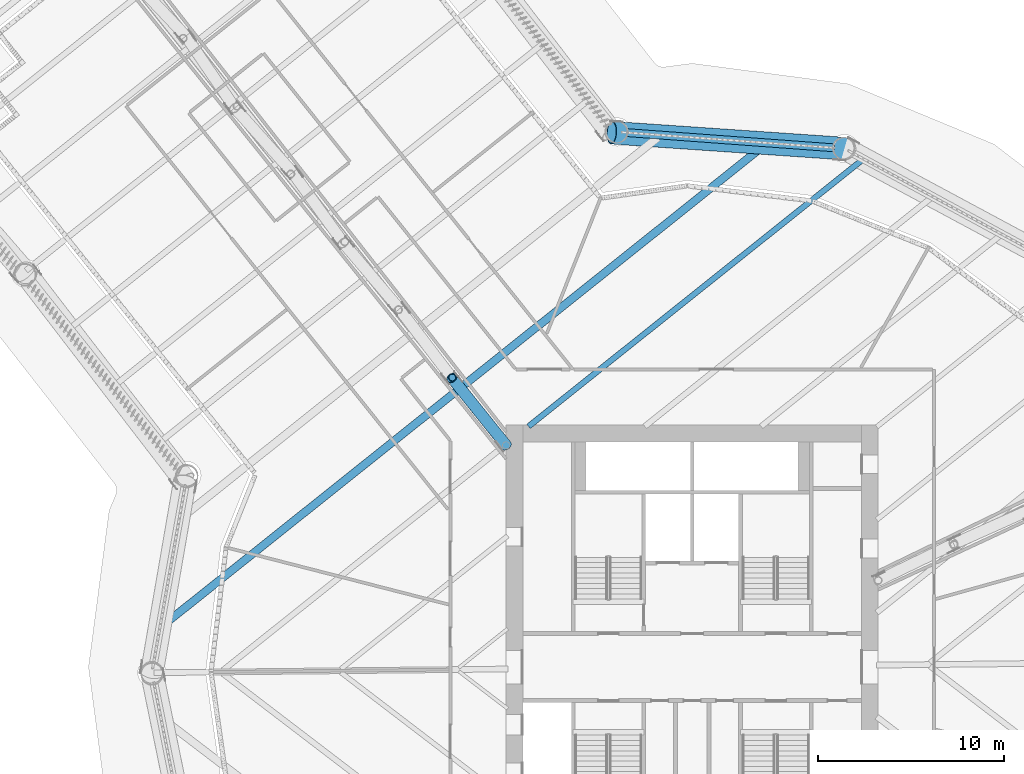
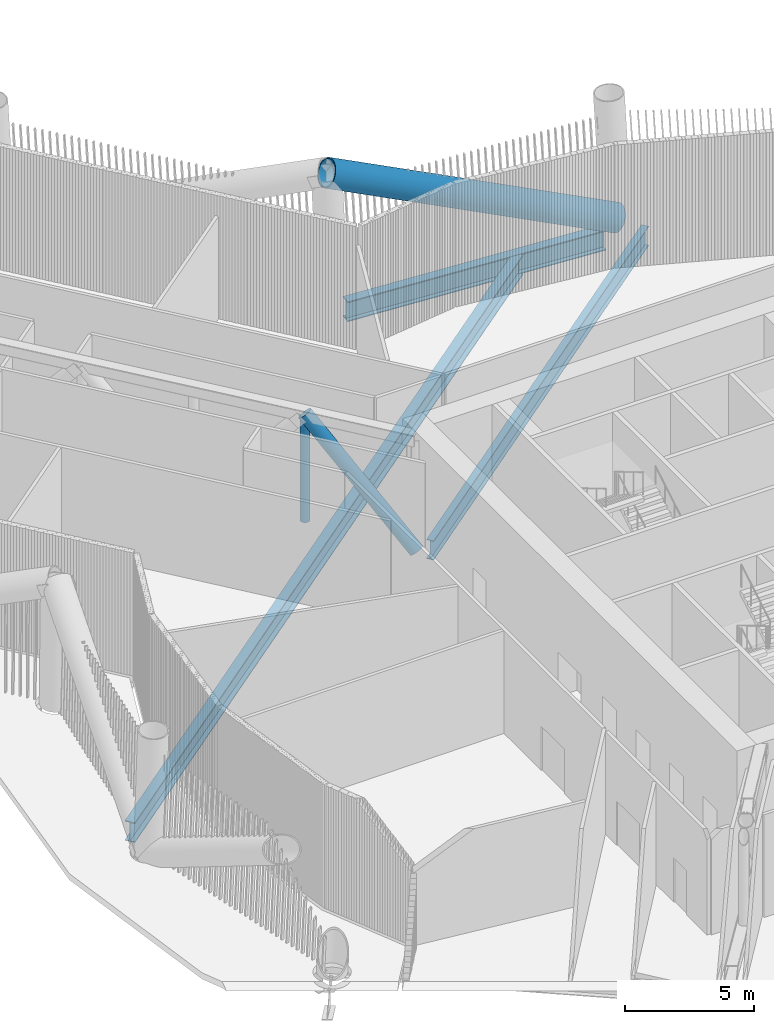
# One storey, part 12 of 48: 3 beams, 3 members.
"""IFC4 building model written with IfcOpenShell, lengths in metres."""

from ifc_helpers import new_model, si_unit, direction, frame, origin, origin_2d, place, context, subcontext, project, spatial, hollow_circle, i_section, extrude, material, material_profile, profile_set, type_object, element, save


model = new_model("IFC4")

# Units and contexts
model_context = context("Model", 3, precision=1e-05, world=origin(), true_north=direction((0.0, 1.0)))
body_context = subcontext(model_context, "Body", "Model", "MODEL_VIEW")
ifc_project = project(units=[si_unit("LENGTHUNIT", "METRE"), si_unit("AREAUNIT", "SQUARE_METRE"), si_unit("VOLUMEUNIT", "CUBIC_METRE"), si_unit("PLANEANGLEUNIT", "RADIAN"), si_unit("MASSUNIT", "GRAM", prefix="KILO")], contexts=[model_context])

# Site, building, storey
site_placement = place(None, origin())
site = spatial("IfcSite", under=ifc_project, at=site_placement, CompositionType="ELEMENT")
building_placement = place(site_placement, origin())
building = spatial("IfcBuilding", under=site, at=building_placement, Name="Tarsis Ring Headquarters", CompositionType="ELEMENT")
storey_placement = place(building_placement, frame((0.0, 0.0, 34.0)))
storey = spatial("IfcBuildingStorey", under=building, at=storey_placement, Name="L06", CompositionType="ELEMENT", Elevation=34.0)

# Beams
ifc_material_1 = material(Name="Structural steel S355", Category="steel")
ifc_material_profile_1 = material_profile(ifc_material_1, i_section(OverallWidth=0.3046875, OverallDepth=0.91943359375, WebThickness=0.017333984375, FlangeThickness=0.02783203125, at=origin_2d()), Name="W36x170")
ifc_profile_set_1 = profile_set([ifc_material_profile_1], Name="Structural steel S355")
beam_type_1 = type_object("IfcBeamType", Name="FB Floor beam W36x170", PredefinedType="JOIST", material=ifc_profile_set_1)
beam_1_placement = place(storey_placement, frame((9.109375, 27.23291015625, -0.759765625), z_axis=(-0.781519108368, -0.623881305422, 0.0), x_axis=(0.623881305422, -0.781519108368, 0.0)))
element("IfcBeam", 1, at=beam_1_placement, inside=storey, type_object=beam_type_1, Name="Floor beam FB9", PredefinedType="JOIST", context=body_context, shape_type="SweptSolid", body=[
    extrude(i_section(OverallWidth=0.3046875, OverallDepth=0.91943359375, WebThickness=0.017333984375, FlangeThickness=0.02783203125, at=origin_2d()), origin(), (0.0, 0.0, 1.0), 22.91357421875),
])
ifc_material_profile_2 = material_profile(ifc_material_1, i_section(OverallWidth=0.42431640625, OverallDepth=0.947509765625, WebThickness=0.02392578125, FlangeThickness=0.042724609375, at=origin_2d()), Name="W36x302")
ifc_profile_set_2 = profile_set([ifc_material_profile_2], Name="Structural steel S355")
beam_type_2 = type_object("IfcBeamType", Name="FB Floor beam W36x302", PredefinedType="JOIST", material=ifc_profile_set_2)
beam_2_placement = place(storey_placement, frame((3.872802734375, 28.04296875, -0.773681640625), z_axis=(-0.781519246667, -0.623881132179, 0.0), x_axis=(0.623881132179, -0.781519246667, 0.0)))
element("IfcBeam", 2, at=beam_2_placement, inside=storey, type_object=beam_type_2, Name="Floor beam FB12", PredefinedType="JOIST", context=body_context, shape_type="SweptSolid", body=[
    extrude(i_section(OverallWidth=0.42431640625, OverallDepth=0.947509765625, WebThickness=0.02392578125, FlangeThickness=0.042724609375, at=origin_2d()), origin(), (0.0, 0.0, 1.0), 41.35302734375),
])

# Members
ifc_material_profile_3 = material_profile(ifc_material_1, hollow_circle(Radius=0.3046875, WallThickness=0.02490234375, at=origin_2d()), Name="CHS 610x25")
ifc_profile_set_3 = profile_set([ifc_material_profile_3], Name="Structural steel S355")
member_type_1 = type_object("IfcMemberType", Name="OD Outrigger diagonal CHS 610x25", PredefinedType="BRACE", material=ifc_profile_set_3)
member_1_placement = place(storey_placement, frame((-10.0, 11.915283203125, 0.25390625), z_axis=(-0.412179165584, 0.512576918995, 0.753241818789), x_axis=(-0.779295835714, -0.626656205936, 0.0)))
element("IfcMember", 3, at=member_1_placement, inside=storey, type_object=member_type_1, Name="Outrigger diagonal OD1", PredefinedType="BRACE", context=body_context, shape_type="SweptSolid", body=[
    extrude(hollow_circle(Radius=0.3046875, WallThickness=0.02490234375, at=origin_2d()), origin(), (0.0, 0.0, 1.0), 7.078857421875),
])
ifc_material_profile_4 = material_profile(ifc_material_1, hollow_circle(Radius=0.203125, WallThickness=0.01611328125, at=origin_2d()), Name="CHS 406x16")
ifc_profile_set_4 = profile_set([ifc_material_profile_4], Name="Structural steel S355")
member_type_2 = type_object("IfcMemberType", Name="OV Outrigger post CHS 406x16", PredefinedType="STRUT", material=ifc_profile_set_4)
member_2_placement = place(storey_placement, frame((-12.893798828125, 15.56298828125, 0.508056640625), z_axis=(0.0, 0.0, 1.0), x_axis=(1.0, 0.0, 0.0)))
element("IfcMember", 4, at=member_2_placement, inside=storey, type_object=member_type_2, Name="Outrigger post OV1", PredefinedType="STRUT", context=body_context, shape_type="SweptSolid", body=[
    extrude(hollow_circle(Radius=0.203125, WallThickness=0.01611328125, at=origin_2d()), origin(), (0.0, 0.0, 1.0), 4.823974609375),
])
ifc_material_2 = material(Name="Structural steel S460", Category="steel")
ifc_material_profile_5 = material_profile(ifc_material_2, hollow_circle(Radius=0.609619140625, WallThickness=0.050048828125, at=origin_2d()), Name="CHS 1219x50")
ifc_profile_set_5 = profile_set([ifc_material_profile_5], Name="Structural steel S460")
member_type_3 = type_object("IfcMemberType", Name="TD Belt truss diagonal CHS 1219x50", PredefinedType="BRACE", material=ifc_profile_set_5)
member_3_placement = place(storey_placement, frame((8.188232421875, 27.87060546875, 0.0), z_axis=(-0.900050254222, 0.061373845575, 0.431442685595), x_axis=(-0.068031371895, -0.997683182397, 0.0)))
element("IfcMember", 5, at=member_3_placement, inside=storey, type_object=member_type_3, Name="Belt truss diagonal TD1", PredefinedType="BRACE", context=body_context, shape_type="SweptSolid", body=[
    extrude(hollow_circle(Radius=0.609619140625, WallThickness=0.050048828125, at=origin_2d()), origin(), (0.0, 0.0, 1.0), 13.90673828125),
])

# Beam
beam_type_3 = type_object("IfcBeamType", Name="XG Ring girder W36x302", PredefinedType="BEAM", material=ifc_profile_set_2)
beam_3_placement = place(storey_placement, frame((7.64111328125, 27.910888671875, -0.773681640625), z_axis=(-0.997313320391, 0.073253948501, 0.0), x_axis=(-0.073253948501, -0.997313320391, 0.0)))
element("IfcBeam", 6, at=beam_3_placement, inside=storey, type_object=beam_type_3, Name="Ring girder XG1", PredefinedType="BEAM", context=body_context, shape_type="SweptSolid", body=[
    extrude(i_section(OverallWidth=0.42431640625, OverallDepth=0.947509765625, WebThickness=0.02392578125, FlangeThickness=0.042724609375, at=origin_2d()), origin(), (0.0, 0.0, 1.0), 11.151611328125),
])

save(model, "model.ifc")
